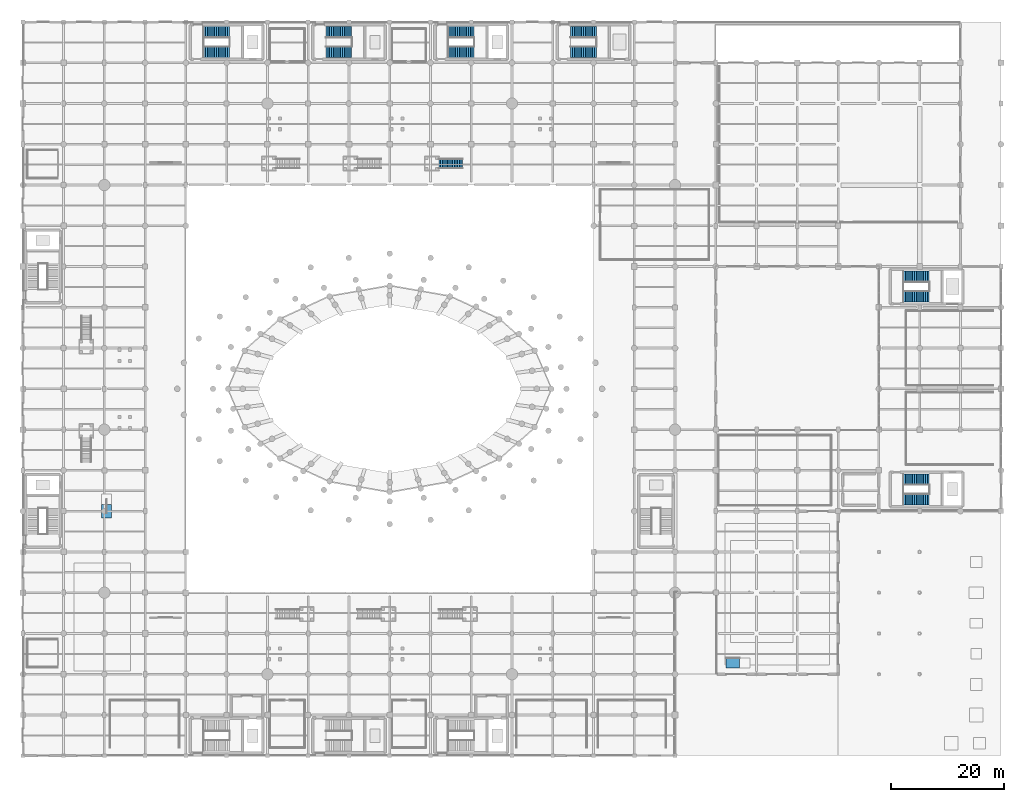
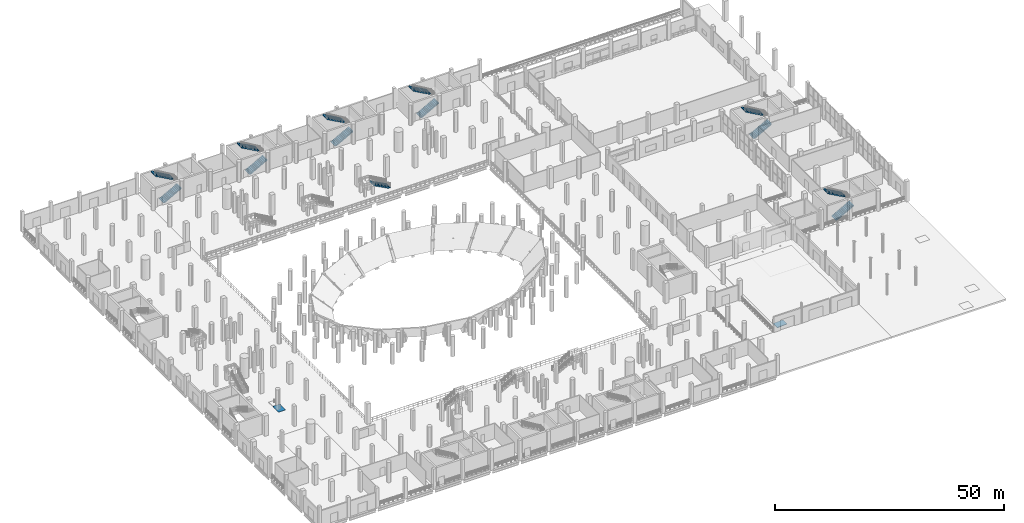
# One storey, part 43 of 58: 13 stair flights, 2 ramp flights, 9 elements without a shape of their own.
"""IFC4 building model written with IfcOpenShell, lengths in metres."""

from ifc_helpers import new_model, si_unit, direction, frame, origin, place, context, subcontext, project, spatial, polyline, outline, extrude, material, layer, layer_set, type_object, element, aggregate, save


model = new_model("IFC4")

# Units and contexts
model_context = context("Model", 3, precision=1e-05, world=origin(), true_north=direction((0.0, 1.0)))
body_context = subcontext(model_context, "Body", "Model", "MODEL_VIEW")
ifc_project = project(units=[si_unit("LENGTHUNIT", "METRE"), si_unit("AREAUNIT", "SQUARE_METRE"), si_unit("VOLUMEUNIT", "CUBIC_METRE"), si_unit("PLANEANGLEUNIT", "RADIAN"), si_unit("MASSUNIT", "GRAM", prefix="KILO")], contexts=[model_context])

# Site, building, storey
site_placement = place(None, origin())
site = spatial("IfcSite", under=ifc_project, at=site_placement, CompositionType="ELEMENT")
building_placement = place(site_placement, origin())
building = spatial("IfcBuilding", under=site, at=building_placement, Name="Qandorah Velis Arena", CompositionType="ELEMENT")
storey_placement = place(building_placement, origin())
storey = spatial("IfcBuildingStorey", under=building, at=storey_placement, Name="L00", CompositionType="ELEMENT", Elevation=0.0)

# Stair, stair flights
ifc_material = material(Name="Concrete C40/50", Category="concrete")
stair_type_1 = type_object("IfcStairType", Name="ARC-ST-CORE54", PredefinedType="HALF_TURN_STAIR", material=ifc_material)
stair_1_placement = place(storey_placement, origin())
stair_1 = element("IfcStair", 1, at=stair_1_placement, inside=storey, type_object=stair_type_1, Name="Protected exit stair ST3 (L00)", PredefinedType="HALF_TURN_STAIR")
stair_flight_type_1 = type_object("IfcStairFlightType", Name="ARC-STF-1650", PredefinedType="STRAIGHT", material=ifc_material)
stair_flight_1_placement = place(storey_placement, frame((31.949951171875, 124.300048828125, 0.0), z_axis=(0.0, 0.0, 1.0), x_axis=(1.0, 0.0, 0.0)))
stair_flight_1 = element("IfcStairFlight", 2, at=stair_flight_1_placement, type_object=stair_flight_type_1, Name="ST3 flight 1", NumberOfRisers=15, NumberOfTreads=14, PredefinedType="STRAIGHT", RiserHeight=0.18, TreadLength=0.324, context=body_context, shape_type="SweptSolid", body=[
    extrude(outline(polyline([(0.0, 0.0), (0.0, 0.179931640625), (0.323974609375, 0.179931640625), (0.323974609375, 0.360107421875), (0.64794921875, 0.360107421875), (0.64794921875, 0.5400390625), (0.971923828125, 0.5400390625), (0.971923828125, 0.719970703125), (1.2958984375, 0.719970703125), (1.2958984375, 0.89990234375), (1.6201171875, 0.89990234375), (1.6201171875, 1.080078125), (1.944091796875, 1.080078125), (1.944091796875, 1.260009765625), (2.26806640625, 1.260009765625), (2.26806640625, 1.43994140625), (2.592041015625, 1.43994140625), (2.592041015625, 1.6201171875), (2.916015625, 1.6201171875), (2.916015625, 1.800048828125), (3.239990234375, 1.800048828125), (3.239990234375, 1.97998046875), (3.56396484375, 1.97998046875), (3.56396484375, 2.159912109375), (3.887939453125, 2.159912109375), (3.887939453125, 2.340087890625), (4.2119140625, 2.340087890625), (4.2119140625, 2.52001953125), (4.535888671875, 2.52001953125), (4.535888671875, 2.699951171875), (4.535888671875, 2.268310546875), (0.452880859375, 0.0), (0.0, 0.0)])), frame((0.0, 0.989990234375, 0.0), z_axis=(0.0, -1.0, 0.0), x_axis=(1.0, 0.0, 0.0)), (0.0, 0.0, 1.0), 1.97998046875),
])
stair_flight_2_placement = place(storey_placement, frame((36.486083984375, 127.800048828125, 2.699951171875), z_axis=(0.0, 0.0, 1.0), x_axis=(-1.0, 0.0, 0.0)))
stair_flight_2 = element("IfcStairFlight", 3, at=stair_flight_2_placement, type_object=stair_flight_type_1, Name="ST3 flight 2", NumberOfRisers=15, NumberOfTreads=14, PredefinedType="STRAIGHT", RiserHeight=0.18, TreadLength=0.324, context=body_context, shape_type="SweptSolid", body=[
    extrude(outline(polyline([(0.0, 0.0), (0.0, 0.179931640625), (0.323974609375, 0.179931640625), (0.323974609375, 0.360107421875), (0.64794921875, 0.360107421875), (0.64794921875, 0.5400390625), (0.971923828125, 0.5400390625), (0.971923828125, 0.719970703125), (1.2958984375, 0.719970703125), (1.2958984375, 0.89990234375), (1.6201171875, 0.89990234375), (1.6201171875, 1.080078125), (1.944091796875, 1.080078125), (1.944091796875, 1.260009765625), (2.26806640625, 1.260009765625), (2.26806640625, 1.43994140625), (2.592041015625, 1.43994140625), (2.592041015625, 1.6201171875), (2.916015625, 1.6201171875), (2.916015625, 1.800048828125), (3.239990234375, 1.800048828125), (3.239990234375, 1.97998046875), (3.56396484375, 1.97998046875), (3.56396484375, 2.159912109375), (3.887939453125, 2.159912109375), (3.887939453125, 2.340087890625), (4.2119140625, 2.340087890625), (4.2119140625, 2.52001953125), (4.535888671875, 2.52001953125), (4.535888671875, 2.699951171875), (4.535888671875, 2.268310546875), (0.452880859375, 0.0), (0.0, 0.0)])), frame((0.0, 0.989990234375, 0.0), z_axis=(0.0, -1.0, 0.0), x_axis=(1.0, 0.0, 0.0)), (0.0, 0.0, 1.0), 1.97998046875),
])
aggregate(stair_1, [stair_flight_1, stair_flight_2])

stair_2_placement = place(storey_placement, origin())
stair_2 = element("IfcStair", 4, at=stair_2_placement, inside=storey, type_object=stair_type_1, Name="Protected exit stair ST4 (L00)", PredefinedType="HALF_TURN_STAIR")
stair_flight_3_placement = place(storey_placement, frame((75.14990234375, 124.300048828125, 0.0), z_axis=(0.0, 0.0, 1.0), x_axis=(1.0, 0.0, 0.0)))
stair_flight_3 = element("IfcStairFlight", 5, at=stair_flight_3_placement, type_object=stair_flight_type_1, Name="ST4 flight 1", NumberOfRisers=15, NumberOfTreads=14, PredefinedType="STRAIGHT", RiserHeight=0.18, TreadLength=0.324, context=body_context, shape_type="SweptSolid", body=[
    extrude(outline(polyline([(0.0, 0.0), (0.0, 0.179931640625), (0.323974609375, 0.179931640625), (0.323974609375, 0.360107421875), (0.64794921875, 0.360107421875), (0.64794921875, 0.5400390625), (0.971923828125, 0.5400390625), (0.971923828125, 0.719970703125), (1.2958984375, 0.719970703125), (1.2958984375, 0.89990234375), (1.6201171875, 0.89990234375), (1.6201171875, 1.080078125), (1.944091796875, 1.080078125), (1.944091796875, 1.260009765625), (2.26806640625, 1.260009765625), (2.26806640625, 1.43994140625), (2.592041015625, 1.43994140625), (2.592041015625, 1.6201171875), (2.916015625, 1.6201171875), (2.916015625, 1.800048828125), (3.239990234375, 1.800048828125), (3.239990234375, 1.97998046875), (3.56396484375, 1.97998046875), (3.56396484375, 2.159912109375), (3.887939453125, 2.159912109375), (3.887939453125, 2.340087890625), (4.2119140625, 2.340087890625), (4.2119140625, 2.52001953125), (4.535888671875, 2.52001953125), (4.535888671875, 2.699951171875), (4.535888671875, 2.268310546875), (0.452880859375, 0.0), (0.0, 0.0)])), frame((0.0, 0.989990234375, 0.0), z_axis=(0.0, -1.0, 0.0), x_axis=(1.0, 0.0, 0.0)), (0.0, 0.0, 1.0), 1.97998046875),
])
stair_flight_4_placement = place(storey_placement, frame((79.68603515625, 127.800048828125, 2.699951171875), z_axis=(0.0, 0.0, 1.0), x_axis=(-1.0, 0.0, 0.0)))
stair_flight_4 = element("IfcStairFlight", 6, at=stair_flight_4_placement, type_object=stair_flight_type_1, Name="ST4 flight 2", NumberOfRisers=15, NumberOfTreads=14, PredefinedType="STRAIGHT", RiserHeight=0.18, TreadLength=0.324, context=body_context, shape_type="SweptSolid", body=[
    extrude(outline(polyline([(0.0, 0.0), (0.0, 0.179931640625), (0.323974609375, 0.179931640625), (0.323974609375, 0.360107421875), (0.64794921875, 0.360107421875), (0.64794921875, 0.5400390625), (0.971923828125, 0.5400390625), (0.971923828125, 0.719970703125), (1.2958984375, 0.719970703125), (1.2958984375, 0.89990234375), (1.6201171875, 0.89990234375), (1.6201171875, 1.080078125), (1.944091796875, 1.080078125), (1.944091796875, 1.260009765625), (2.26806640625, 1.260009765625), (2.26806640625, 1.43994140625), (2.592041015625, 1.43994140625), (2.592041015625, 1.6201171875), (2.916015625, 1.6201171875), (2.916015625, 1.800048828125), (3.239990234375, 1.800048828125), (3.239990234375, 1.97998046875), (3.56396484375, 1.97998046875), (3.56396484375, 2.159912109375), (3.887939453125, 2.159912109375), (3.887939453125, 2.340087890625), (4.2119140625, 2.340087890625), (4.2119140625, 2.52001953125), (4.535888671875, 2.52001953125), (4.535888671875, 2.699951171875), (4.535888671875, 2.268310546875), (0.452880859375, 0.0), (0.0, 0.0)])), frame((0.0, 0.989990234375, 0.0), z_axis=(0.0, -1.0, 0.0), x_axis=(1.0, 0.0, 0.0)), (0.0, 0.0, 1.0), 1.97998046875),
])
aggregate(stair_2, [stair_flight_3, stair_flight_4])

stair_3_placement = place(storey_placement, origin())
stair_3 = element("IfcStair", 7, at=stair_3_placement, inside=storey, type_object=stair_type_1, Name="Protected exit stair ST7 (L00)", PredefinedType="HALF_TURN_STAIR")
stair_flight_5_placement = place(storey_placement, frame((155.550048828125, 45.300048828125, 0.0), z_axis=(0.0, 0.0, 1.0), x_axis=(1.0, 0.0, 0.0)))
stair_flight_5 = element("IfcStairFlight", 8, at=stair_flight_5_placement, type_object=stair_flight_type_1, Name="ST7 flight 1", NumberOfRisers=15, NumberOfTreads=14, PredefinedType="STRAIGHT", RiserHeight=0.18, TreadLength=0.324, context=body_context, shape_type="SweptSolid", body=[
    extrude(outline(polyline([(0.0, 0.0), (0.0, 0.179931640625), (0.323974609375, 0.179931640625), (0.323974609375, 0.360107421875), (0.64794921875, 0.360107421875), (0.64794921875, 0.5400390625), (0.971923828125, 0.5400390625), (0.971923828125, 0.719970703125), (1.2958984375, 0.719970703125), (1.2958984375, 0.89990234375), (1.6201171875, 0.89990234375), (1.6201171875, 1.080078125), (1.944091796875, 1.080078125), (1.944091796875, 1.260009765625), (2.26806640625, 1.260009765625), (2.26806640625, 1.43994140625), (2.592041015625, 1.43994140625), (2.592041015625, 1.6201171875), (2.916015625, 1.6201171875), (2.916015625, 1.800048828125), (3.239990234375, 1.800048828125), (3.239990234375, 1.97998046875), (3.56396484375, 1.97998046875), (3.56396484375, 2.159912109375), (3.887939453125, 2.159912109375), (3.887939453125, 2.340087890625), (4.2119140625, 2.340087890625), (4.2119140625, 2.52001953125), (4.535888671875, 2.52001953125), (4.535888671875, 2.699951171875), (4.535888671875, 2.268310546875), (0.452880859375, 0.0), (0.0, 0.0)])), frame((0.0, 0.989990234375, 0.0), z_axis=(0.0, -1.0, 0.0), x_axis=(1.0, 0.0, 0.0)), (0.0, 0.0, 1.0), 1.97998046875),
])
stair_flight_6_placement = place(storey_placement, frame((160.0859375, 48.800048828125, 2.699951171875), z_axis=(0.0, 0.0, 1.0), x_axis=(-1.0, 0.0, 0.0)))
stair_flight_6 = element("IfcStairFlight", 9, at=stair_flight_6_placement, type_object=stair_flight_type_1, Name="ST7 flight 2", NumberOfRisers=15, NumberOfTreads=14, PredefinedType="STRAIGHT", RiserHeight=0.18, TreadLength=0.324, context=body_context, shape_type="SweptSolid", body=[
    extrude(outline(polyline([(0.0, 0.0), (0.0, 0.179931640625), (0.323974609375, 0.179931640625), (0.323974609375, 0.360107421875), (0.64794921875, 0.360107421875), (0.64794921875, 0.5400390625), (0.971923828125, 0.5400390625), (0.971923828125, 0.719970703125), (1.2958984375, 0.719970703125), (1.2958984375, 0.89990234375), (1.6201171875, 0.89990234375), (1.6201171875, 1.080078125), (1.944091796875, 1.080078125), (1.944091796875, 1.260009765625), (2.26806640625, 1.260009765625), (2.26806640625, 1.43994140625), (2.592041015625, 1.43994140625), (2.592041015625, 1.6201171875), (2.916015625, 1.6201171875), (2.916015625, 1.800048828125), (3.239990234375, 1.800048828125), (3.239990234375, 1.97998046875), (3.56396484375, 1.97998046875), (3.56396484375, 2.159912109375), (3.887939453125, 2.159912109375), (3.887939453125, 2.340087890625), (4.2119140625, 2.340087890625), (4.2119140625, 2.52001953125), (4.535888671875, 2.52001953125), (4.535888671875, 2.699951171875), (4.535888671875, 2.268310546875), (0.452880859375, 0.0), (0.0, 0.0)])), frame((0.0, 0.989990234375, 0.0), z_axis=(0.0, -1.0, 0.0), x_axis=(1.0, 0.0, 0.0)), (0.0, 0.0, 1.0), 1.97998046875),
])
aggregate(stair_3, [stair_flight_5, stair_flight_6])

stair_4_placement = place(storey_placement, origin())
stair_4 = element("IfcStair", 10, at=stair_4_placement, inside=storey, type_object=stair_type_1, Name="Protected exit stair ST8 (L00)", PredefinedType="HALF_TURN_STAIR")
stair_flight_7_placement = place(storey_placement, frame((155.550048828125, 81.10009765625, 0.0), z_axis=(0.0, 0.0, 1.0), x_axis=(1.0, 0.0, 0.0)))
stair_flight_7 = element("IfcStairFlight", 11, at=stair_flight_7_placement, type_object=stair_flight_type_1, Name="ST8 flight 1", NumberOfRisers=15, NumberOfTreads=14, PredefinedType="STRAIGHT", RiserHeight=0.18, TreadLength=0.324, context=body_context, shape_type="SweptSolid", body=[
    extrude(outline(polyline([(0.0, 0.0), (0.0, 0.179931640625), (0.323974609375, 0.179931640625), (0.323974609375, 0.360107421875), (0.64794921875, 0.360107421875), (0.64794921875, 0.5400390625), (0.971923828125, 0.5400390625), (0.971923828125, 0.719970703125), (1.2958984375, 0.719970703125), (1.2958984375, 0.89990234375), (1.6201171875, 0.89990234375), (1.6201171875, 1.080078125), (1.944091796875, 1.080078125), (1.944091796875, 1.260009765625), (2.26806640625, 1.260009765625), (2.26806640625, 1.43994140625), (2.592041015625, 1.43994140625), (2.592041015625, 1.6201171875), (2.916015625, 1.6201171875), (2.916015625, 1.800048828125), (3.239990234375, 1.800048828125), (3.239990234375, 1.97998046875), (3.56396484375, 1.97998046875), (3.56396484375, 2.159912109375), (3.887939453125, 2.159912109375), (3.887939453125, 2.340087890625), (4.2119140625, 2.340087890625), (4.2119140625, 2.52001953125), (4.535888671875, 2.52001953125), (4.535888671875, 2.699951171875), (4.535888671875, 2.268310546875), (0.452880859375, 0.0), (0.0, 0.0)])), frame((0.0, 0.989990234375, 0.0), z_axis=(0.0, -1.0, 0.0), x_axis=(1.0, 0.0, 0.0)), (0.0, 0.0, 1.0), 1.97998046875),
])
stair_flight_8_placement = place(storey_placement, frame((160.0859375, 84.60009765625, 2.699951171875), z_axis=(0.0, 0.0, 1.0), x_axis=(-1.0, 0.0, 0.0)))
stair_flight_8 = element("IfcStairFlight", 12, at=stair_flight_8_placement, type_object=stair_flight_type_1, Name="ST8 flight 2", NumberOfRisers=15, NumberOfTreads=14, PredefinedType="STRAIGHT", RiserHeight=0.18, TreadLength=0.324, context=body_context, shape_type="SweptSolid", body=[
    extrude(outline(polyline([(0.0, 0.0), (0.0, 0.179931640625), (0.323974609375, 0.179931640625), (0.323974609375, 0.360107421875), (0.64794921875, 0.360107421875), (0.64794921875, 0.5400390625), (0.971923828125, 0.5400390625), (0.971923828125, 0.719970703125), (1.2958984375, 0.719970703125), (1.2958984375, 0.89990234375), (1.6201171875, 0.89990234375), (1.6201171875, 1.080078125), (1.944091796875, 1.080078125), (1.944091796875, 1.260009765625), (2.26806640625, 1.260009765625), (2.26806640625, 1.43994140625), (2.592041015625, 1.43994140625), (2.592041015625, 1.6201171875), (2.916015625, 1.6201171875), (2.916015625, 1.800048828125), (3.239990234375, 1.800048828125), (3.239990234375, 1.97998046875), (3.56396484375, 1.97998046875), (3.56396484375, 2.159912109375), (3.887939453125, 2.159912109375), (3.887939453125, 2.340087890625), (4.2119140625, 2.340087890625), (4.2119140625, 2.52001953125), (4.535888671875, 2.52001953125), (4.535888671875, 2.699951171875), (4.535888671875, 2.268310546875), (0.452880859375, 0.0), (0.0, 0.0)])), frame((0.0, 0.989990234375, 0.0), z_axis=(0.0, -1.0, 0.0), x_axis=(1.0, 0.0, 0.0)), (0.0, 0.0, 1.0), 1.97998046875),
])
aggregate(stair_4, [stair_flight_7, stair_flight_8])

stair_5_placement = place(storey_placement, origin())
stair_5 = element("IfcStair", 13, at=stair_5_placement, inside=storey, type_object=stair_type_1, Name="Protected exit stair ST10 (L00)", PredefinedType="HALF_TURN_STAIR")
stair_flight_9_placement = place(storey_placement, frame((53.550048828125, 124.300048828125, 0.0), z_axis=(0.0, 0.0, 1.0), x_axis=(1.0, 0.0, 0.0)))
stair_flight_9 = element("IfcStairFlight", 14, at=stair_flight_9_placement, type_object=stair_flight_type_1, Name="ST10 flight 1", NumberOfRisers=15, NumberOfTreads=14, PredefinedType="STRAIGHT", RiserHeight=0.18, TreadLength=0.324, context=body_context, shape_type="SweptSolid", body=[
    extrude(outline(polyline([(0.0, 0.0), (0.0, 0.179931640625), (0.323974609375, 0.179931640625), (0.323974609375, 0.360107421875), (0.64794921875, 0.360107421875), (0.64794921875, 0.5400390625), (0.971923828125, 0.5400390625), (0.971923828125, 0.719970703125), (1.2958984375, 0.719970703125), (1.2958984375, 0.89990234375), (1.6201171875, 0.89990234375), (1.6201171875, 1.080078125), (1.944091796875, 1.080078125), (1.944091796875, 1.260009765625), (2.26806640625, 1.260009765625), (2.26806640625, 1.43994140625), (2.592041015625, 1.43994140625), (2.592041015625, 1.6201171875), (2.916015625, 1.6201171875), (2.916015625, 1.800048828125), (3.239990234375, 1.800048828125), (3.239990234375, 1.97998046875), (3.56396484375, 1.97998046875), (3.56396484375, 2.159912109375), (3.887939453125, 2.159912109375), (3.887939453125, 2.340087890625), (4.2119140625, 2.340087890625), (4.2119140625, 2.52001953125), (4.535888671875, 2.52001953125), (4.535888671875, 2.699951171875), (4.535888671875, 2.268310546875), (0.452880859375, 0.0), (0.0, 0.0)])), frame((0.0, 0.989990234375, 0.0), z_axis=(0.0, -1.0, 0.0), x_axis=(1.0, 0.0, 0.0)), (0.0, 0.0, 1.0), 1.97998046875),
])
stair_flight_10_placement = place(storey_placement, frame((58.0859375, 127.800048828125, 2.699951171875), z_axis=(0.0, 0.0, 1.0), x_axis=(-1.0, 0.0, 0.0)))
stair_flight_10 = element("IfcStairFlight", 15, at=stair_flight_10_placement, type_object=stair_flight_type_1, Name="ST10 flight 2", NumberOfRisers=15, NumberOfTreads=14, PredefinedType="STRAIGHT", RiserHeight=0.18, TreadLength=0.324, context=body_context, shape_type="SweptSolid", body=[
    extrude(outline(polyline([(0.0, 0.0), (0.0, 0.179931640625), (0.323974609375, 0.179931640625), (0.323974609375, 0.360107421875), (0.64794921875, 0.360107421875), (0.64794921875, 0.5400390625), (0.971923828125, 0.5400390625), (0.971923828125, 0.719970703125), (1.2958984375, 0.719970703125), (1.2958984375, 0.89990234375), (1.6201171875, 0.89990234375), (1.6201171875, 1.080078125), (1.944091796875, 1.080078125), (1.944091796875, 1.260009765625), (2.26806640625, 1.260009765625), (2.26806640625, 1.43994140625), (2.592041015625, 1.43994140625), (2.592041015625, 1.6201171875), (2.916015625, 1.6201171875), (2.916015625, 1.800048828125), (3.239990234375, 1.800048828125), (3.239990234375, 1.97998046875), (3.56396484375, 1.97998046875), (3.56396484375, 2.159912109375), (3.887939453125, 2.159912109375), (3.887939453125, 2.340087890625), (4.2119140625, 2.340087890625), (4.2119140625, 2.52001953125), (4.535888671875, 2.52001953125), (4.535888671875, 2.699951171875), (4.535888671875, 2.268310546875), (0.452880859375, 0.0), (0.0, 0.0)])), frame((0.0, 0.989990234375, 0.0), z_axis=(0.0, -1.0, 0.0), x_axis=(1.0, 0.0, 0.0)), (0.0, 0.0, 1.0), 1.97998046875),
])
aggregate(stair_5, [stair_flight_9, stair_flight_10])

stair_6_placement = place(storey_placement, origin())
stair_6 = element("IfcStair", 16, at=stair_6_placement, inside=storey, type_object=stair_type_1, Name="Protected exit stair ST12 (L00)", PredefinedType="HALF_TURN_STAIR")
stair_flight_11_placement = place(storey_placement, frame((96.75, 124.300048828125, 0.0), z_axis=(0.0, 0.0, 1.0), x_axis=(1.0, 0.0, 0.0)))
stair_flight_11 = element("IfcStairFlight", 17, at=stair_flight_11_placement, type_object=stair_flight_type_1, Name="ST12 flight 1", NumberOfRisers=15, NumberOfTreads=14, PredefinedType="STRAIGHT", RiserHeight=0.18, TreadLength=0.324, context=body_context, shape_type="SweptSolid", body=[
    extrude(outline(polyline([(0.0, 0.0), (0.0, 0.179931640625), (0.323974609375, 0.179931640625), (0.323974609375, 0.360107421875), (0.64794921875, 0.360107421875), (0.64794921875, 0.5400390625), (0.971923828125, 0.5400390625), (0.971923828125, 0.719970703125), (1.2958984375, 0.719970703125), (1.2958984375, 0.89990234375), (1.6201171875, 0.89990234375), (1.6201171875, 1.080078125), (1.944091796875, 1.080078125), (1.944091796875, 1.260009765625), (2.26806640625, 1.260009765625), (2.26806640625, 1.43994140625), (2.592041015625, 1.43994140625), (2.592041015625, 1.6201171875), (2.916015625, 1.6201171875), (2.916015625, 1.800048828125), (3.239990234375, 1.800048828125), (3.239990234375, 1.97998046875), (3.56396484375, 1.97998046875), (3.56396484375, 2.159912109375), (3.887939453125, 2.159912109375), (3.887939453125, 2.340087890625), (4.2119140625, 2.340087890625), (4.2119140625, 2.52001953125), (4.535888671875, 2.52001953125), (4.535888671875, 2.699951171875), (4.535888671875, 2.268310546875), (0.452880859375, 0.0), (0.0, 0.0)])), frame((0.0, 0.989990234375, 0.0), z_axis=(0.0, -1.0, 0.0), x_axis=(1.0, 0.0, 0.0)), (0.0, 0.0, 1.0), 1.97998046875),
])
stair_flight_12_placement = place(storey_placement, frame((101.285888671875, 127.800048828125, 2.699951171875), z_axis=(0.0, 0.0, 1.0), x_axis=(-1.0, 0.0, 0.0)))
stair_flight_12 = element("IfcStairFlight", 18, at=stair_flight_12_placement, type_object=stair_flight_type_1, Name="ST12 flight 2", NumberOfRisers=15, NumberOfTreads=14, PredefinedType="STRAIGHT", RiserHeight=0.18, TreadLength=0.324, context=body_context, shape_type="SweptSolid", body=[
    extrude(outline(polyline([(0.0, 0.0), (0.0, 0.179931640625), (0.323974609375, 0.179931640625), (0.323974609375, 0.360107421875), (0.64794921875, 0.360107421875), (0.64794921875, 0.5400390625), (0.971923828125, 0.5400390625), (0.971923828125, 0.719970703125), (1.2958984375, 0.719970703125), (1.2958984375, 0.89990234375), (1.6201171875, 0.89990234375), (1.6201171875, 1.080078125), (1.944091796875, 1.080078125), (1.944091796875, 1.260009765625), (2.26806640625, 1.260009765625), (2.26806640625, 1.43994140625), (2.592041015625, 1.43994140625), (2.592041015625, 1.6201171875), (2.916015625, 1.6201171875), (2.916015625, 1.800048828125), (3.239990234375, 1.800048828125), (3.239990234375, 1.97998046875), (3.56396484375, 1.97998046875), (3.56396484375, 2.159912109375), (3.887939453125, 2.159912109375), (3.887939453125, 2.340087890625), (4.2119140625, 2.340087890625), (4.2119140625, 2.52001953125), (4.535888671875, 2.52001953125), (4.535888671875, 2.699951171875), (4.535888671875, 2.268310546875), (0.452880859375, 0.0), (0.0, 0.0)])), frame((0.0, 0.989990234375, 0.0), z_axis=(0.0, -1.0, 0.0), x_axis=(1.0, 0.0, 0.0)), (0.0, 0.0, 1.0), 1.97998046875),
])
aggregate(stair_6, [stair_flight_11, stair_flight_12])

# Stair, stair flight
stair_type_2 = type_object("IfcStairType", Name="ARC-ST-VOM1800", PredefinedType="STRAIGHT_RUN_STAIR", material=ifc_material)
stair_7_placement = place(storey_placement, origin())
stair_7 = element("IfcStair", 19, at=stair_7_placement, inside=storey, type_object=stair_type_2, Name="Spectator vomitory stair VS6 (L00)", PredefinedType="STRAIGHT_RUN_STAIR")
stair_flight_type_2 = type_object("IfcStairFlightType", Name="ARC-STF-1800", PredefinedType="STRAIGHT", material=ifc_material)
stair_flight_13_placement = place(storey_placement, frame((77.699951171875, 104.60009765625, 0.0), z_axis=(0.0, 0.0, 1.0), x_axis=(-1.0, 0.0, 0.0)))
stair_flight_13 = element("IfcStairFlight", 20, at=stair_flight_13_placement, type_object=stair_flight_type_2, Name="VS6 flight 1", NumberOfRisers=15, NumberOfTreads=14, PredefinedType="STRAIGHT", RiserHeight=0.16, TreadLength=0.3, context=body_context, shape_type="SweptSolid", body=[
    extrude(outline(polyline([(0.0, 0.0), (0.0, 0.159912109375), (0.300048828125, 0.159912109375), (0.300048828125, 0.320068359375), (0.60009765625, 0.320068359375), (0.60009765625, 0.47998046875), (0.89990234375, 0.47998046875), (0.89990234375, 0.639892578125), (1.199951171875, 0.639892578125), (1.199951171875, 0.800048828125), (1.5, 0.800048828125), (1.5, 0.9599609375), (1.800048828125, 0.9599609375), (1.800048828125, 1.1201171875), (2.10009765625, 1.1201171875), (2.10009765625, 1.280029296875), (2.39990234375, 1.280029296875), (2.39990234375, 1.43994140625), (2.699951171875, 1.43994140625), (2.699951171875, 1.60009765625), (3.0, 1.60009765625), (3.0, 1.760009765625), (3.300048828125, 1.760009765625), (3.300048828125, 1.919921875), (3.60009765625, 1.919921875), (3.60009765625, 2.080078125), (3.89990234375, 2.080078125), (3.89990234375, 2.239990234375), (4.199951171875, 2.239990234375), (4.199951171875, 2.39990234375), (4.199951171875, 1.968017578125), (0.510009765625, 0.0), (0.0, 0.0)])), frame((0.0, 0.89990234375, 0.0), z_axis=(0.0, -1.0, 0.0), x_axis=(1.0, 0.0, 0.0)), (0.0, 0.0, 1.0), 1.800048828125),
])
aggregate(stair_7, [stair_flight_13])

# Ramp, ramp flight
ramp_type = type_object("IfcRampType", Name="ARC-RMP-PED1800", PredefinedType="TWO_STRAIGHT_RUN_RAMP", material=ifc_material)
ramp_1_placement = place(storey_placement, origin())
ramp_1 = element("IfcRamp", 21, at=ramp_1_placement, inside=storey, type_object=ramp_type, Name="Accessible pedestrian threshold ramp PR1", PredefinedType="TWO_STRAIGHT_RUN_RAMP")
ifc_layer = layer(ifc_material, 0.25)
ifc_layer_set = layer_set([ifc_layer], Name="Concrete C40/50")
ramp_flight_type = type_object("IfcRampFlightType", Name="ARC-RMF-PED1800", PredefinedType="STRAIGHT", material=ifc_layer_set)
ramp_flight_1_placement = place(storey_placement, frame((124.199951171875, 16.39990234375, 0.0), z_axis=(0.0, 0.0, 1.0), x_axis=(1.0, 0.0, 0.0)))
ramp_flight_1 = element("IfcRampFlight", 22, at=ramp_flight_1_placement, type_object=ramp_flight_type, Name="Accessible pedestrian threshold ramp PR1 flight 1", PredefinedType="STRAIGHT", context=body_context, shape_type="SweptSolid", body=[
    extrude(outline(polyline([(0.0, 0.0), (2.400146484375, 0.14990234375), (2.400146484375, 0.0), (0.0, -0.14990234375), (0.0, 0.0)])), frame((0.0, 0.89990234375, 0.0), z_axis=(0.0, -1.0, 0.0), x_axis=(1.0, 0.0, 0.0)), (0.0, 0.0, 1.0), 1.800048828125),
])
aggregate(ramp_1, [ramp_flight_1])

ramp_2_placement = place(storey_placement, origin())
ramp_2 = element("IfcRamp", 23, at=ramp_2_placement, inside=storey, type_object=ramp_type, Name="Accessible pedestrian threshold ramp PR2", PredefinedType="TWO_STRAIGHT_RUN_RAMP")
ramp_flight_2_placement = place(storey_placement, frame((14.7998046875, 42.0, 0.0), z_axis=(0.0, 0.0, 1.0), x_axis=(0.0, 1.0, 0.0)))
ramp_flight_2 = element("IfcRampFlight", 24, at=ramp_flight_2_placement, type_object=ramp_flight_type, Name="Accessible pedestrian threshold ramp PR2 flight 1", PredefinedType="STRAIGHT", context=body_context, shape_type="SweptSolid", body=[
    extrude(outline(polyline([(0.0, 0.0), (2.39990234375, 0.14990234375), (2.39990234375, 0.0), (0.0, -0.14990234375), (0.0, 0.0)])), frame((0.0, 0.89990234375, 0.0), z_axis=(0.0, -1.0, 0.0), x_axis=(1.0, 0.0, 0.0)), (0.0, 0.0, 1.0), 1.800048828125),
])
aggregate(ramp_2, [ramp_flight_2])

save(model, "model.ifc")
